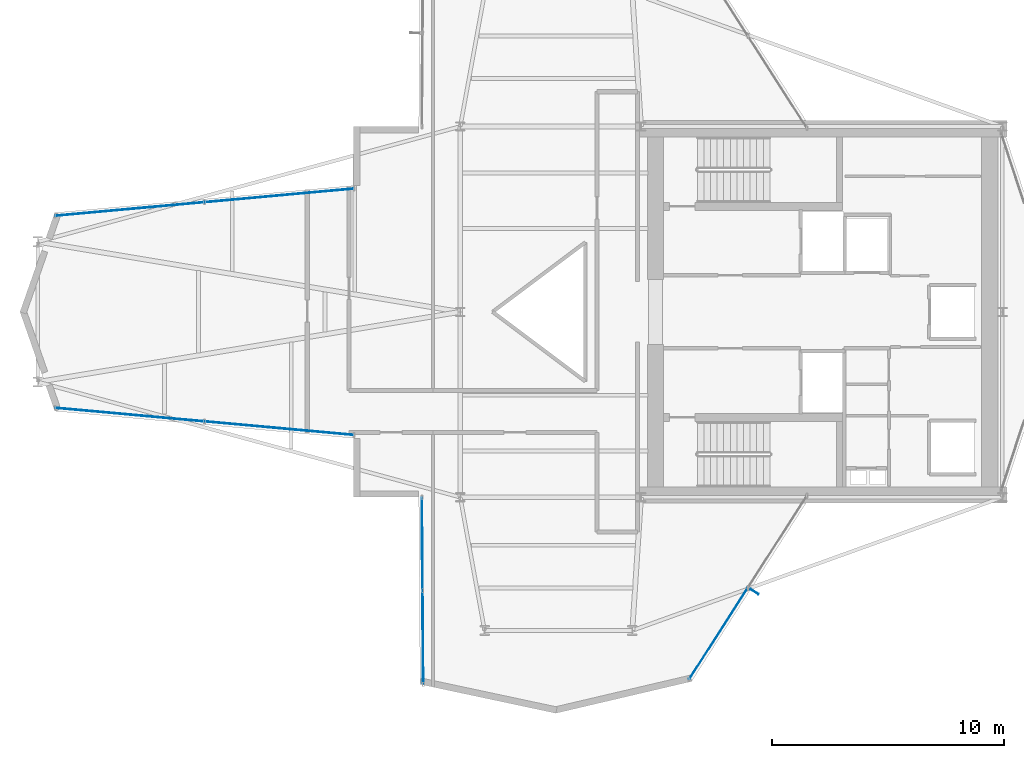
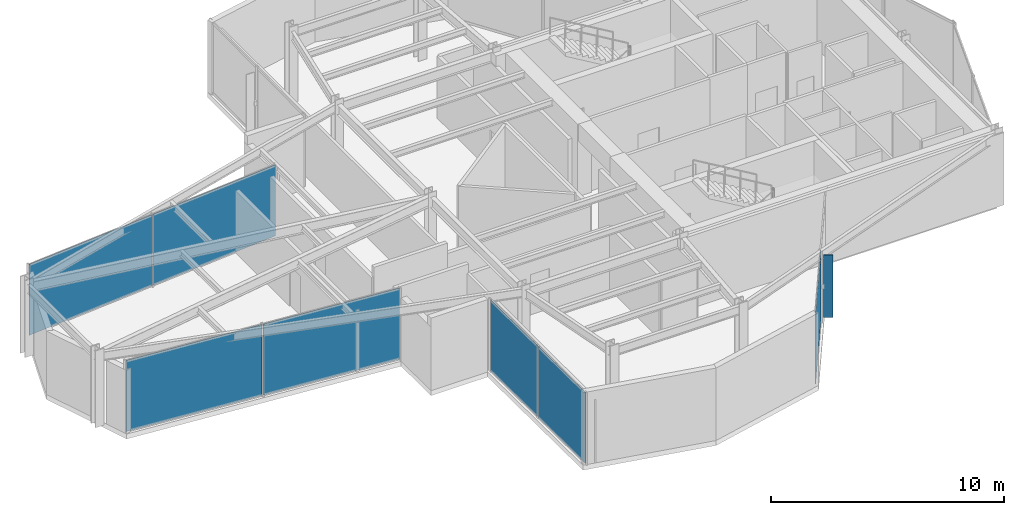
# One storey, part 18 of 23: 8 plates, 4 elements without a shape of their own.
"""IFC4 building model written with IfcOpenShell, lengths in metres."""

from ifc_helpers import new_model, si_unit, direction, frame, origin, origin_2d, place, context, subcontext, project, spatial, rectangle, extrude, material, layer, layer_set, type_object, element, aggregate, save


model = new_model("IFC4")

# Units and contexts
model_context = context("Model", 3, precision=1e-05, world=origin(), true_north=direction((0.0, 1.0)))
body_context = subcontext(model_context, "Body", "Model", "MODEL_VIEW")
ifc_project = project(units=[si_unit("LENGTHUNIT", "METRE"), si_unit("AREAUNIT", "SQUARE_METRE"), si_unit("VOLUMEUNIT", "CUBIC_METRE"), si_unit("PLANEANGLEUNIT", "RADIAN"), si_unit("MASSUNIT", "GRAM", prefix="KILO")], contexts=[model_context])

# Site, building, storey
site_placement = place(None, origin())
site = spatial("IfcSite", under=ifc_project, at=site_placement, CompositionType="ELEMENT")
building_placement = place(site_placement, origin())
building = spatial("IfcBuilding", under=site, at=building_placement, Name="Veymaron Broadcast Tower", CompositionType="ELEMENT")
storey_placement = place(building_placement, frame((0.0, 0.0, 195.89990234375)))
storey = spatial("IfcBuildingStorey", under=building, at=storey_placement, Name="L45", CompositionType="ELEMENT", Elevation=195.89990234375)

# Curtain wall, plates
ifc_material_1 = material(Name="Anodised aluminium AA 6063-T6 and laminated low-E dark glass", Category="aluminium")
ifc_layer_1 = layer(ifc_material_1, 0.179931640625)
ifc_layer_set_1 = layer_set([ifc_layer_1], Name="Anodised aluminium AA 6063-T6 and laminated low-E dark glass")
curtain_wall_type = type_object("IfcCurtainWallType", Name="CW-SYS-05", PredefinedType="NOTDEFINED", material=ifc_layer_set_1)
curtain_wall_1_placement = place(storey_placement, origin())
curtain_wall_1 = element("IfcCurtainWall", 1, at=curtain_wall_1_placement, inside=storey, type_object=curtain_wall_type, Name="L45 dark-glass curtain wall CW-L45-E11-1", PredefinedType="NOTDEFINED")
ifc_material_2 = material(Name="Double-silver solar-control dark glass IGU 32 mm", Category="glass")
ifc_layer_2 = layer(ifc_material_2, 0.031982421875)
ifc_layer_set_2 = layer_set([ifc_layer_2], Name="Double-silver solar-control dark glass IGU 32 mm")
plate_type_1 = type_object("IfcPlateType", Name="CW-PNL-02", PredefinedType="CURTAIN_PANEL", material=ifc_layer_set_2)
plate_1_placement = place(storey_placement, frame((23.3876953125, 29.0224609375, 0.0400390625), z_axis=(0.0, 0.0, 1.0), x_axis=(-0.995903358817, -0.090424000671, 0.0)))
plate_1 = element("IfcPlate", 2, at=plate_1_placement, type_object=plate_type_1, Name="CW-L45-E11-1 unitised curtain panel 0", PredefinedType="CURTAIN_PANEL", context=body_context, shape_type="SweptSolid", body=[
    extrude(rectangle(XDim=6.41650390625, YDim=0.031982421875, at=origin_2d()), origin(), (0.0, 0.0, 1.0), 3.7099609375),
])
plate_2_placement = place(storey_placement, frame((16.937744140625, 28.43701171875, 0.0400390625), z_axis=(0.0, 0.0, 1.0), x_axis=(-0.995903358817, -0.090424000671, 0.0)))
plate_2 = element("IfcPlate", 3, at=plate_2_placement, type_object=plate_type_1, Name="CW-L45-E11-1 unitised curtain panel 1", PredefinedType="CURTAIN_PANEL", context=body_context, shape_type="SweptSolid", body=[
    extrude(rectangle(XDim=6.41650390625, YDim=0.031982421875, at=origin_2d()), origin(), (0.0, 0.0, 1.0), 3.7099609375),
])
aggregate(curtain_wall_1, [plate_1, plate_2])

curtain_wall_2_placement = place(storey_placement, origin())
curtain_wall_2 = element("IfcCurtainWall", 4, at=curtain_wall_2_placement, inside=storey, type_object=curtain_wall_type, Name="L45 dark-glass curtain wall CW-L45-E14-1", PredefinedType="NOTDEFINED")
plate_3_placement = place(storey_placement, frame((16.937744140625, 19.56298828125, 0.0400390625), z_axis=(0.0, 0.0, 1.0), x_axis=(0.995903358817, -0.090424000671, 0.0)))
plate_3 = element("IfcPlate", 5, at=plate_3_placement, type_object=plate_type_1, Name="CW-L45-E14-1 unitised curtain panel 0", PredefinedType="CURTAIN_PANEL", context=body_context, shape_type="SweptSolid", body=[
    extrude(rectangle(XDim=6.41650390625, YDim=0.031982421875, at=origin_2d()), origin(), (0.0, 0.0, 1.0), 3.7099609375),
])
plate_4_placement = place(storey_placement, frame((23.3876953125, 18.9775390625, 0.0400390625), z_axis=(0.0, 0.0, 1.0), x_axis=(0.995903358817, -0.090424000671, 0.0)))
plate_4 = element("IfcPlate", 6, at=plate_4_placement, type_object=plate_type_1, Name="CW-L45-E14-1 unitised curtain panel 1", PredefinedType="CURTAIN_PANEL", context=body_context, shape_type="SweptSolid", body=[
    extrude(rectangle(XDim=6.41650390625, YDim=0.031982421875, at=origin_2d()), origin(), (0.0, 0.0, 1.0), 3.7099609375),
])
aggregate(curtain_wall_2, [plate_3, plate_4])

curtain_wall_3_placement = place(storey_placement, origin())
curtain_wall_3 = element("IfcCurtainWall", 7, at=curtain_wall_3_placement, inside=storey, type_object=curtain_wall_type, Name="L45 dark-glass curtain wall CW-L45-E17-1", PredefinedType="NOTDEFINED")
plate_5_placement = place(storey_placement, frame((29.56005859375, 13.982421875, 0.0400390625), z_axis=(0.0, 0.0, 1.0), x_axis=(0.007138336016, -0.999974521755, 0.0)))
plate_5 = element("IfcPlate", 8, at=plate_5_placement, type_object=plate_type_1, Name="CW-L45-E17-1 unitised curtain panel 0", PredefinedType="CURTAIN_PANEL", context=body_context, shape_type="SweptSolid", body=[
    extrude(rectangle(XDim=3.9775390625, YDim=0.031982421875, at=origin_2d()), origin(), (0.0, 0.0, 1.0), 3.7099609375),
])
plate_6_placement = place(storey_placement, frame((29.5888671875, 9.94482421875, 0.0400390625), z_axis=(0.0, 0.0, 1.0), x_axis=(0.007138336016, -0.999974521755, 0.0)))
plate_6 = element("IfcPlate", 9, at=plate_6_placement, type_object=plate_type_1, Name="CW-L45-E17-1 unitised curtain panel 1", PredefinedType="CURTAIN_PANEL", context=body_context, shape_type="SweptSolid", body=[
    extrude(rectangle(XDim=3.9775390625, YDim=0.031982421875, at=origin_2d()), origin(), (0.0, 0.0, 1.0), 3.7099609375),
])
aggregate(curtain_wall_3, [plate_5, plate_6])

# Curtain wall, plate
curtain_wall_4_placement = place(storey_placement, origin())
curtain_wall_4 = element("IfcCurtainWall", 10, at=curtain_wall_4_placement, inside=storey, type_object=curtain_wall_type, Name="L45 dark-glass curtain wall CW-L45-E20-1", PredefinedType="NOTDEFINED")
plate_7_placement = place(storey_placement, frame((42.343994140625, 10.113037109375, 0.0400390625), z_axis=(0.0, 0.0, 1.0), x_axis=(0.539961235236, 0.841689886147, 0.0)))
plate_7 = element("IfcPlate", 11, at=plate_7_placement, type_object=plate_type_1, Name="CW-L45-E20-1 unitised curtain panel 0", PredefinedType="CURTAIN_PANEL", context=body_context, shape_type="SweptSolid", body=[
    extrude(rectangle(XDim=4.66259765625, YDim=0.031982421875, at=origin_2d()), origin(), (0.0, 0.0, 1.0), 3.7099609375),
])
aggregate(curtain_wall_4, [plate_7])

# Plate
ifc_material_3 = material(Name="Dark-anodised aluminium AA 6061-T6", Category="aluminium")
ifc_layer_3 = layer(ifc_material_3, 0.031982421875)
ifc_layer_set_3 = layer_set([ifc_layer_3], Name="Dark-anodised aluminium AA 6061-T6")
plate_type_2 = type_object("IfcPlateType", Name="FIN-CHEV-03", PredefinedType="USERDEFINED", material=ifc_layer_set_3)
plate_8_placement = place(storey_placement, frame((43.896728515625, 11.92236328125, 0.26513671875), z_axis=(0.0, 0.0, 1.0), x_axis=(0.841689886147, -0.539961235236, 0.0)))
element("IfcPlate", 12, at=plate_8_placement, inside=storey, type_object=plate_type_2, Name="CW-L45-E20-1 chevron fin 1", ObjectType="FIN", PredefinedType="USERDEFINED", context=body_context, shape_type="SweptSolid", body=[
    extrude(rectangle(XDim=0.39990234375, YDim=0.034912109375, at=origin_2d()), origin(), (0.0, 0.0, 1.0), 3.259521484375),
])

save(model, "model.ifc")
